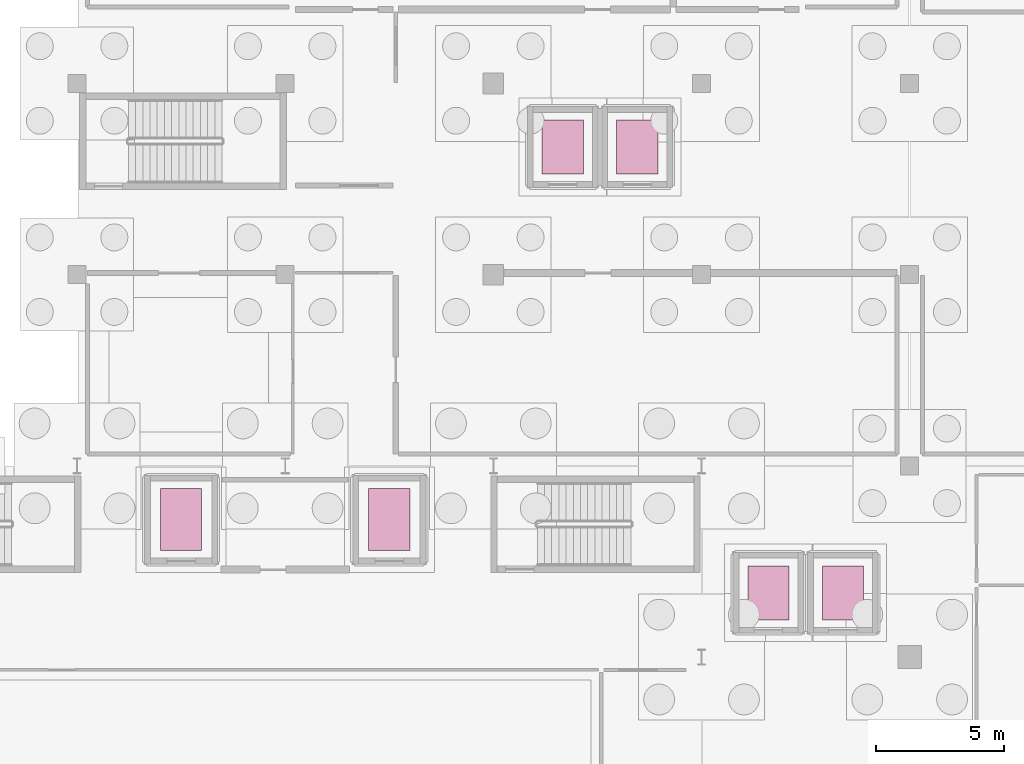
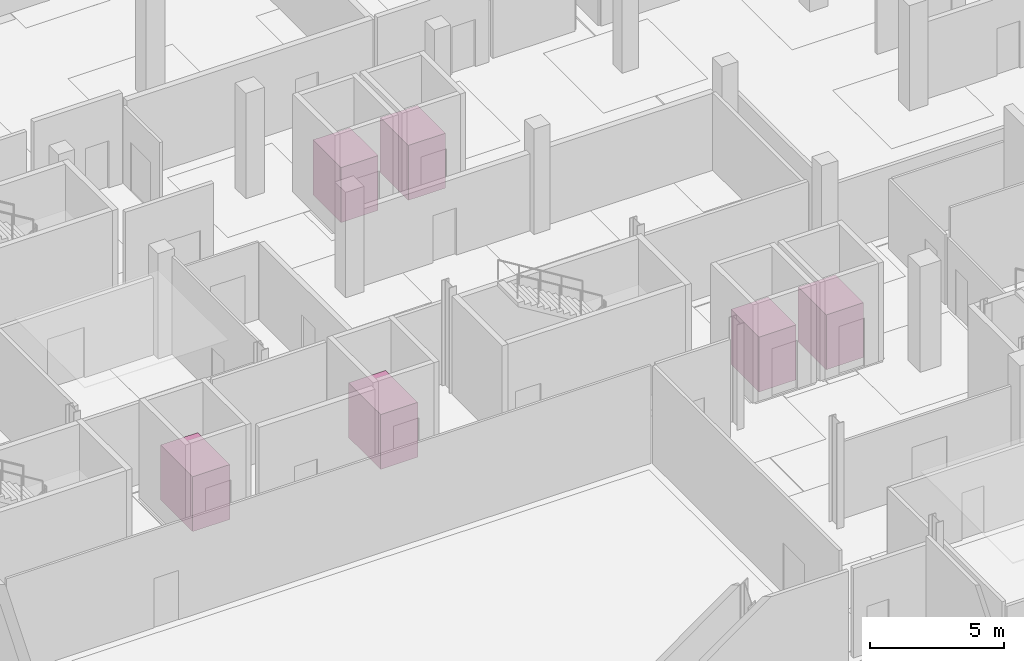
# One storey, part 37 of 37: 6 transport elements.
"""IFC4 building model written with IfcOpenShell, lengths in metres."""

from ifc_helpers import new_model, si_unit, direction, frame, origin, origin_2d, place, context, subcontext, project, spatial, rectangle, extrude, material, type_object, element, save


model = new_model("IFC4")

# Units and contexts
model_context = context("Model", 3, precision=1e-05, world=origin(), true_north=direction((0.0, 1.0)))
body_context = subcontext(model_context, "Body", "Model", "MODEL_VIEW")
ifc_project = project(units=[si_unit("LENGTHUNIT", "METRE"), si_unit("AREAUNIT", "SQUARE_METRE"), si_unit("VOLUMEUNIT", "CUBIC_METRE"), si_unit("PLANEANGLEUNIT", "RADIAN"), si_unit("MASSUNIT", "GRAM", prefix="KILO")], contexts=[model_context])

# Site, building, storey
site_placement = place(None, origin())
site = spatial("IfcSite", under=ifc_project, at=site_placement, CompositionType="ELEMENT")
building_placement = place(site_placement, origin())
building = spatial("IfcBuilding", under=site, at=building_placement, Name="Kaelora Sail Theatre", CompositionType="ELEMENT")
storey_placement = place(building_placement, frame((0.0, 0.0, -4.800048828125)))
storey = spatial("IfcBuildingStorey", under=building, at=storey_placement, Name="B1", CompositionType="ELEMENT", Elevation=-4.800048828125)

# Transport elements
ifc_material_1 = material(Name="Firefighting lift car EN 81-72 (1600x2400 mm, 1600 kg)", Category="steel")
transport_element_type_1 = type_object("IfcTransportElementType", Name="ARC-LFT-FFL", PredefinedType="ELEVATOR", material=ifc_material_1)
for number, where, z_axis, x_axis, name in (
    (1, (37.949951171875, 81.25, 0.0), (0.0, 0.0, 1.0), (1.0, 0.0, 0.0), "Lift FFL-01 car"),
    (2, (46.050048828125, 81.25, 0.0), (0.0, 0.0, 1.0), (1.0, 0.0, 0.0), "Lift FFL-02 car"),
):
    element("IfcTransportElement", number, at=place(storey_placement, frame(where, z_axis=z_axis, x_axis=x_axis)), inside=storey, type_object=transport_element_type_1, Name=name, PredefinedType="ELEVATOR", context=body_context, shape_type="SweptSolid", body=[
        extrude(rectangle(XDim=1.60009765625, YDim=2.39990234375, at=origin_2d()), origin(), (0.0, 0.0, 1.0), 2.5),
    ])
ifc_material_2 = material(Name="Accessible scenic passenger lift car EN 81-70 (1600x2100 mm, 1350 kg)", Category="steel")
transport_element_type_2 = type_object("IfcTransportElementType", Name="ARC-LFT-PAX", PredefinedType="ELEVATOR", material=ifc_material_2)
for number, where, z_axis, x_axis, name in (
    (3, (60.800048828125, 78.39990234375, 0.0), (0.0, 0.0, 1.0), (1.0, 0.0, 0.0), "Lift PL-01 car"),
    (4, (63.699951171875, 78.39990234375, 0.0), (0.0, 0.0, 1.0), (1.0, 0.0, 0.0), "Lift PL-02 car"),
    (5, (52.800048828125, 95.75, 0.0), (0.0, 0.0, 1.0), (1.0, 0.0, 0.0), "Lift PL-03 car"),
    (6, (55.699951171875, 95.75, 0.0), (0.0, 0.0, 1.0), (1.0, 0.0, 0.0), "Lift PL-04 car"),
):
    element("IfcTransportElement", number, at=place(storey_placement, frame(where, z_axis=z_axis, x_axis=x_axis)), inside=storey, type_object=transport_element_type_2, Name=name, PredefinedType="ELEVATOR", context=body_context, shape_type="SweptSolid", body=[
        extrude(rectangle(XDim=1.60009765625, YDim=2.10009765625, at=origin_2d()), origin(), (0.0, 0.0, 1.0), 2.5),
    ])

save(model, "model.ifc")
